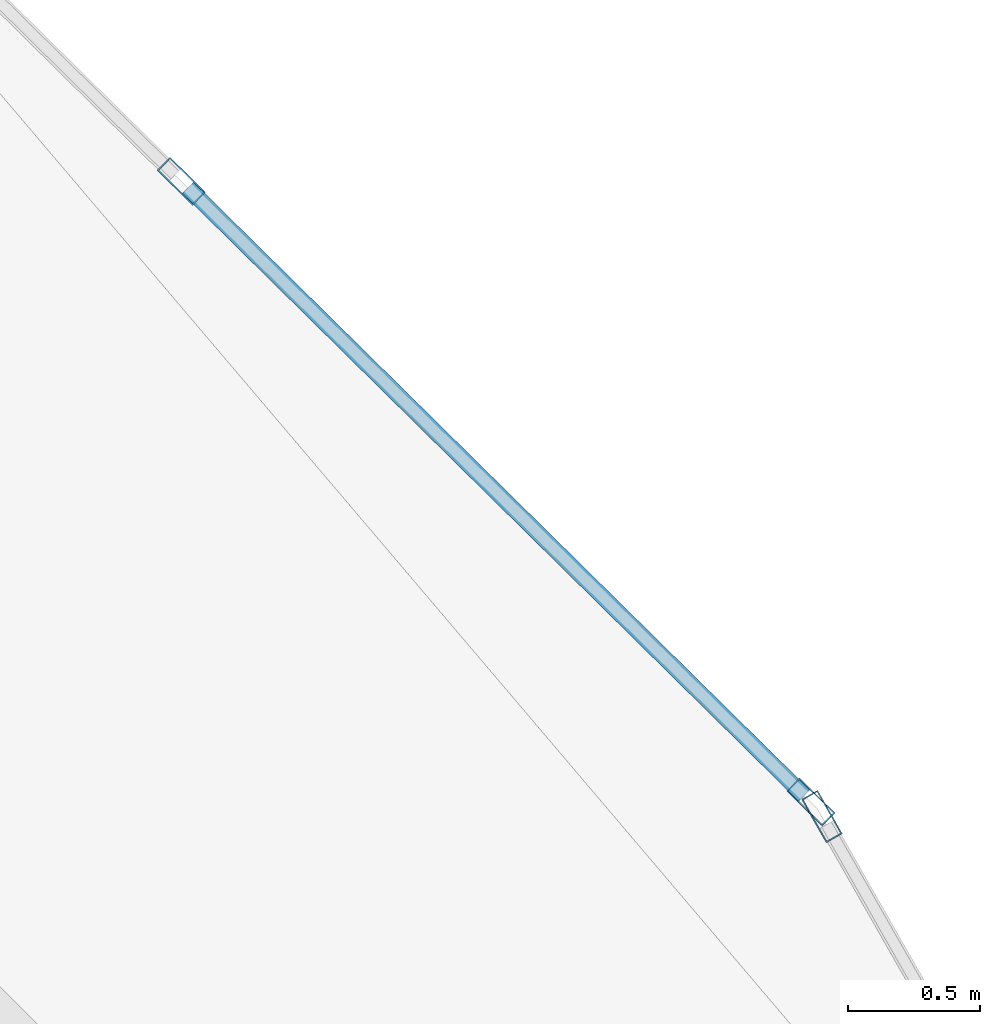
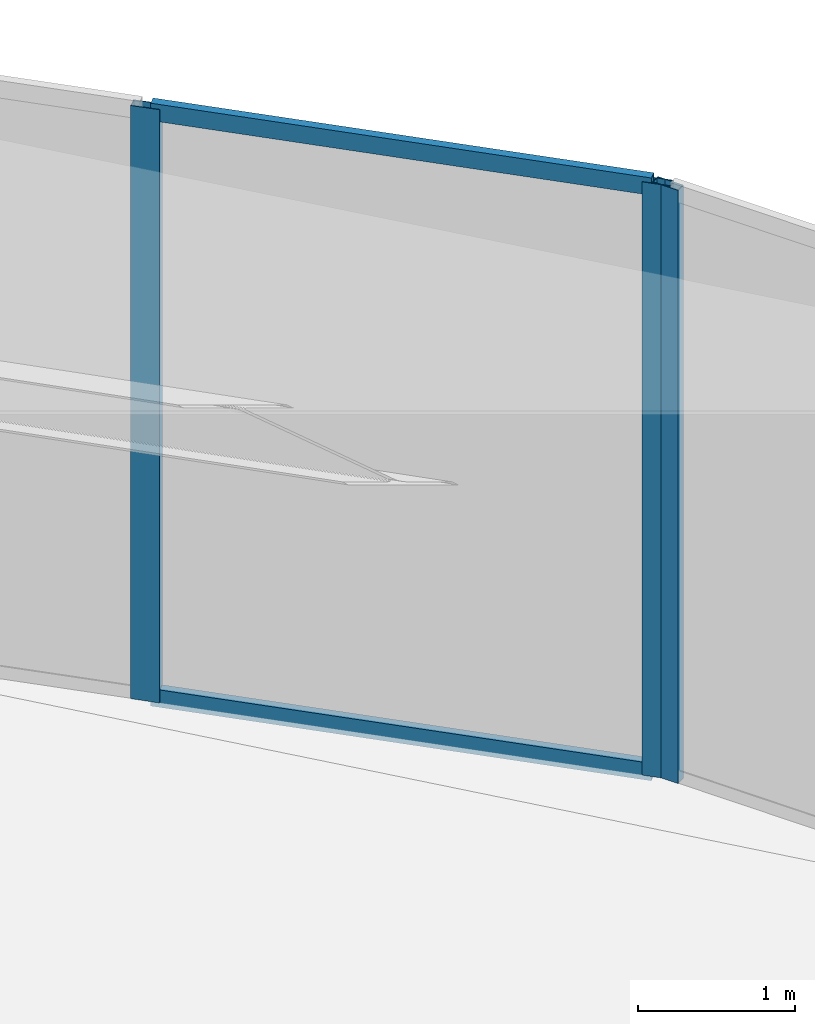
# One storey, part 17 of 23: 5 members, 2 elements without a shape of their own.
"""IFC4 building model written with IfcOpenShell, lengths in metres."""

from ifc_helpers import new_model, si_unit, direction, frame, origin, origin_2d, place, context, subcontext, project, spatial, hollow_rectangle, extrude, source, transform, mapped, material, layer, layer_set, material_profile, profile_set, type_object, element, aggregate, save


model = new_model("IFC4")

# Units and contexts
model_context = context("Model", 3, precision=1e-05, world=origin(), true_north=direction((0.0, 1.0)))
body_context = subcontext(model_context, "Body", "Model", "MODEL_VIEW")
ifc_project = project(units=[si_unit("LENGTHUNIT", "METRE"), si_unit("AREAUNIT", "SQUARE_METRE"), si_unit("VOLUMEUNIT", "CUBIC_METRE"), si_unit("PLANEANGLEUNIT", "RADIAN"), si_unit("MASSUNIT", "GRAM", prefix="KILO")], contexts=[model_context])

# Site, building, storey
site_placement = place(None, origin())
site = spatial("IfcSite", under=ifc_project, at=site_placement, CompositionType="ELEMENT")
building_placement = place(site_placement, origin())
building = spatial("IfcBuilding", under=site, at=building_placement, Name="Solvirekh Grand Hotel", CompositionType="ELEMENT")
storey_placement = place(building_placement, frame((0.0, 0.0, 168.60009765625)))
storey = spatial("IfcBuildingStorey", under=building, at=storey_placement, Name="L43", CompositionType="ELEMENT", Elevation=168.60009765625)

# Curtain wall, member
ifc_material = material(Name="Anodized Bronze Aluminium 6063-T6", Category="aluminium")
ifc_layer = layer(ifc_material, 0.18994140625)
ifc_layer_set = layer_set([ifc_layer], Name="Anodized Bronze Aluminium 6063-T6")
curtain_wall_type = type_object("IfcCurtainWallType", Name="CW_Sys5_SkyLobbyPanoramaCW", PredefinedType="NOTDEFINED", material=ifc_layer_set)
curtain_wall_1_placement = place(storey_placement, origin())
curtain_wall_1 = element("IfcCurtainWall", 1, at=curtain_wall_1_placement, inside=storey, type_object=curtain_wall_type, Name="L43 unitised bronze-glass curtain wall CW-L43-C05", PredefinedType="NOTDEFINED")
ifc_material_profile_1 = material_profile(ifc_material, hollow_rectangle(XDim=0.070068359375, YDim=0.18994140625, WallThickness=0.0048828125, at=origin_2d()), Name="ALU RHS 190X70X5")
ifc_profile_set_1 = profile_set([ifc_material_profile_1], Name="Anodized Bronze Aluminium 6063-T6")
member_type_1 = type_object("IfcMemberType", Name="CWMullion_Sys5", PredefinedType="MULLION", material=ifc_profile_set_1)
shared_shape_1 = source(origin(), body_context, "Body", "SweptSolid", [
    extrude(hollow_rectangle(XDim=0.070068359375, YDim=0.18994140625, WallThickness=0.0048828125, at=origin_2d()), origin(), (0.0, 0.0, 1.0), 4.599853515625),
])
member_1_placement = place(storey_placement, frame((13.937255859375, 11.54150390625, 0.0), z_axis=(0.0, 0.0, 1.0), x_axis=(-0.869112493472, -0.494614469755, 0.0)))
member_1 = element("IfcMember", 2, at=member_1_placement, type_object=member_type_1, Name="U05 mullion 3", PredefinedType="MULLION", context=body_context, shape_type="MappedRepresentation", body=[
    mapped(shared_shape_1, transform((0.0, 0.0, 0.0), x_axis=(1.0, 0.0, 0.0), y_axis=(0.0, 1.0, 0.0), z_axis=(0.0, 0.0, 1.0), scale=1.0)),
])
aggregate(curtain_wall_1, [member_1])

# Curtain wall, members
curtain_wall_2_placement = place(storey_placement, origin())
curtain_wall_2 = element("IfcCurtainWall", 3, at=curtain_wall_2_placement, inside=storey, type_object=curtain_wall_type, Name="L43 unitised bronze-glass curtain wall CW-L43-C06", PredefinedType="NOTDEFINED")
member_2_placement = place(storey_placement, frame((13.89501953125, 11.5966796875, 0.0), z_axis=(0.0, 0.0, 1.0), x_axis=(-0.702152075347, -0.712027010082, 0.0)))
member_2 = element("IfcMember", 4, at=member_2_placement, type_object=member_type_1, Name="U05 mullion 1", PredefinedType="MULLION", context=body_context, shape_type="MappedRepresentation", body=[
    mapped(shared_shape_1, transform((0.0, 0.0, 0.0), x_axis=(1.0, 0.0, 0.0), y_axis=(0.0, 1.0, 0.0), z_axis=(0.0, 0.0, 1.0), scale=1.0)),
])
member_3_placement = place(storey_placement, frame((11.50439453125, 13.9541015625, 0.0), z_axis=(0.0, 0.0, 1.0), x_axis=(-0.702152075347, -0.712027010082, 0.0)))
member_3 = element("IfcMember", 5, at=member_3_placement, type_object=member_type_1, Name="U05 mullion 2", PredefinedType="MULLION", context=body_context, shape_type="MappedRepresentation", body=[
    mapped(shared_shape_1, transform((0.0, 0.0, 0.0), x_axis=(1.0, 0.0, 0.0), y_axis=(0.0, 1.0, 0.0), z_axis=(0.0, 0.0, 1.0), scale=1.0)),
])
ifc_material_profile_2 = material_profile(ifc_material, hollow_rectangle(XDim=0.06005859375, YDim=0.135009765625, WallThickness=0.00390625, at=origin_2d()), Name="ALU RHS 135X60X4")
ifc_profile_set_2 = profile_set([ifc_material_profile_2], Name="Anodized Bronze Aluminium 6063-T6")
member_type_2 = type_object("IfcMemberType", Name="CWTransom_Sys5", PredefinedType="USERDEFINED", material=ifc_profile_set_2)
shared_shape_2 = source(origin(), body_context, "Body", "SweptSolid", [
    extrude(hollow_rectangle(XDim=0.06005859375, YDim=0.135009765625, WallThickness=0.00390625, at=origin_2d()), origin(), (0.0, 0.0, 1.0), 3.287353515625),
])
member_4_placement = place(storey_placement, frame((13.8701171875, 11.62109375, 0.02978515625), z_axis=(-0.711991370637, 0.702188214183, 0.0), x_axis=(-0.702188214183, -0.711991370637, 0.0)))
member_4 = element("IfcMember", 6, at=member_4_placement, type_object=member_type_2, Name="U05 transom 1.1", ObjectType="TRANSOM", PredefinedType="USERDEFINED", context=body_context, shape_type="MappedRepresentation", body=[
    mapped(shared_shape_2, transform((0.0, 0.0, 0.0), x_axis=(1.0, 0.0, 0.0), y_axis=(0.0, 1.0, 0.0), z_axis=(0.0, 0.0, 1.0), scale=1.0)),
])
member_5_placement = place(storey_placement, frame((13.8701171875, 11.62109375, 4.56982421875), z_axis=(-0.711991370637, 0.702188214183, 0.0), x_axis=(-0.702188214183, -0.711991370637, 0.0)))
member_5 = element("IfcMember", 7, at=member_5_placement, type_object=member_type_2, Name="U05 transom 1.2", ObjectType="TRANSOM", PredefinedType="USERDEFINED", context=body_context, shape_type="MappedRepresentation", body=[
    mapped(shared_shape_2, transform((0.0, 0.0, 0.0), x_axis=(1.0, 0.0, 0.0), y_axis=(0.0, 1.0, 0.0), z_axis=(0.0, 0.0, 1.0), scale=1.0)),
])
aggregate(curtain_wall_2, [member_2, member_3, member_4, member_5])

save(model, "model.ifc")
